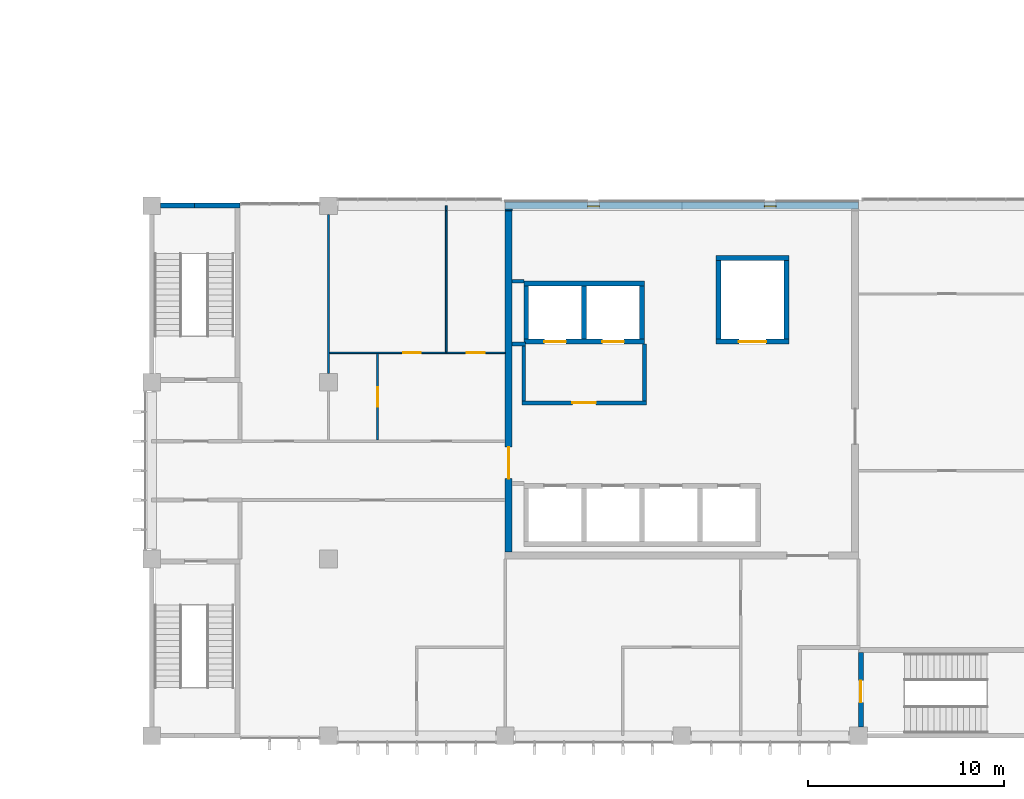
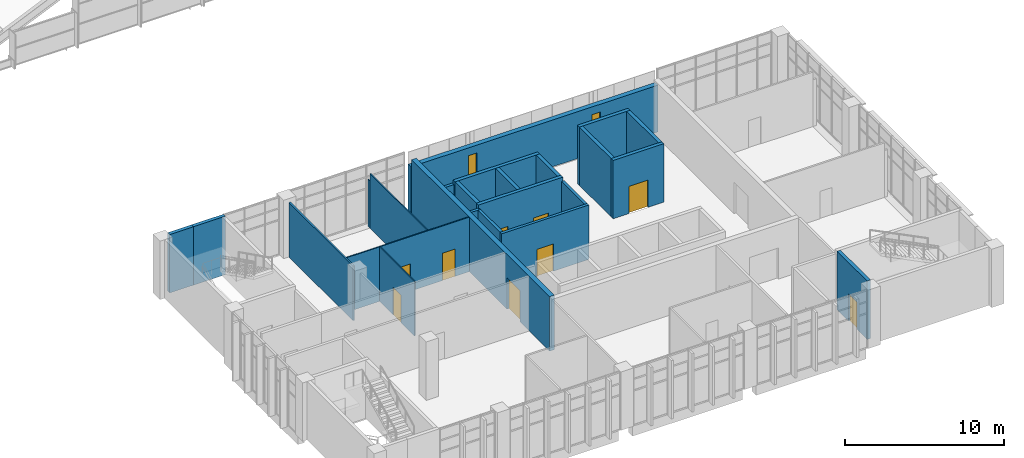
# One storey, part 77 of 106: 25 walls, 9 doors, 2 windows, 11 openings.
"""IFC4 building model written with IfcOpenShell, lengths in metres."""

from ifc_helpers import new_model, si_unit, direction, frame, frame_2d, origin, place, context, subcontext, project, spatial, rectangle, extrude, material, layer, layer_set, type_object, element, fill, save


model = new_model("IFC4")

# Units and contexts
model_context = context("Model", 3, precision=1e-05, world=origin(), true_north=direction((0.0, 1.0)))
body_context = subcontext(model_context, "Body", "Model", "MODEL_VIEW")
ifc_project = project(units=[si_unit("LENGTHUNIT", "METRE"), si_unit("AREAUNIT", "SQUARE_METRE"), si_unit("VOLUMEUNIT", "CUBIC_METRE"), si_unit("PLANEANGLEUNIT", "RADIAN"), si_unit("MASSUNIT", "GRAM", prefix="KILO")], contexts=[model_context])

# Site, building, storey
site_placement = place(None, origin())
site = spatial("IfcSite", under=ifc_project, at=site_placement, CompositionType="ELEMENT")
building_placement = place(site_placement, origin())
building = spatial("IfcBuilding", under=site, at=building_placement, Name="Guidao Yard Department Store", CompositionType="ELEMENT")
storey_placement = place(building_placement, frame((0.0, 0.0, 10.5)))
storey = spatial("IfcBuildingStorey", under=building, at=storey_placement, Name="L02", CompositionType="ELEMENT", Elevation=10.5)

# Wall, openings, windows
ifc_material_1 = material(Name="Concrete C40", Category="concrete")
ifc_layer_1 = layer(ifc_material_1, 0.35009765625)
ifc_layer_set_1 = layer_set([ifc_layer_1], Name="Office core face wall 350 C40")
wall_type_1 = type_object("IfcWallType", Name="Office core face wall 350 C40", PredefinedType="SOLIDWALL", material=ifc_layer_set_1)
wall_1_placement = place(storey_placement, frame((144.0, 27.0, 0.0), z_axis=(0.0, 0.0, 1.0), x_axis=(1.0, 0.0, 0.0)))
wall_1 = element("IfcWall", 1, at=wall_1_placement, inside=storey, type_object=wall_type_1, Name="Office north face wall", PredefinedType="SOLIDWALL", context=body_context, shape_type="SweptSolid", body=[
    extrude(rectangle(XDim=18.0, YDim=0.35009765625, at=frame_2d((9.0, 0.0))), origin(), (0.0, 0.0, 1.0), 3.60009765625),
])
opening_1_placement = place(wall_1_placement, frame((4.199951171875, 0.0, 0.60009765625)))
opening_1 = element("IfcOpeningElement", 2, at=opening_1_placement, cuts=wall_1, Name="Opening WN-L02-E25", PredefinedType="OPENING", context=body_context, shape_type="SweptSolid", body=[
    extrude(rectangle(XDim=0.60009765625, YDim=2.39990234375, at=frame_2d((0.300048828125, 1.199951171875))), frame((0.0, 0.18505859375, 0.0), z_axis=(0.0, -1.0, 0.0), x_axis=(1.0, 0.0, 0.0)), (0.0, 0.0, 1.0), 0.3701171875),
])
opening_2_placement = place(wall_1_placement, frame((13.199951171875, 0.0, 0.60009765625)))
opening_2 = element("IfcOpeningElement", 3, at=opening_2_placement, cuts=wall_1, Name="Opening WN-L02-E26", PredefinedType="OPENING", context=body_context, shape_type="SweptSolid", body=[
    extrude(rectangle(XDim=0.60009765625, YDim=2.39990234375, at=frame_2d((0.300048828125, 1.199951171875))), frame((0.0, 0.18505859375, 0.0), z_axis=(0.0, -1.0, 0.0), x_axis=(1.0, 0.0, 0.0)), (0.0, 0.0, 1.0), 0.3701171875),
])
ifc_material_2 = material(Name="Laminated glass in aluminium frame", Category="aluminium")
window_type = type_object("IfcWindowType", Name="Lobby window LW1 600 x 2400 fixed", PartitioningType="SINGLE_PANEL", PredefinedType="WINDOW", material=ifc_material_2)
window_1_placement = place(opening_1_placement, origin())
window_1 = element("IfcWindow", 4, at=window_1_placement, inside=storey, type_object=window_type, Name="Lift lobby window", OverallHeight=2.39990234375, OverallWidth=0.60009765625, PartitioningType="SINGLE_PANEL", PredefinedType="WINDOW", context=body_context, shape_type="SweptSolid", body=[
    extrude(rectangle(XDim=0.60009765625, YDim=2.39990234375, at=frame_2d((0.300048828125, 1.199951171875))), frame((0.0, -0.0048828125, 0.0), z_axis=(0.0, -1.0, 0.0), x_axis=(1.0, 0.0, 0.0)), (0.0, 0.0, 1.0), 0.06005859375),
])
fill(opening_1, window_1)
window_2_placement = place(opening_2_placement, origin())
window_2 = element("IfcWindow", 5, at=window_2_placement, inside=storey, type_object=window_type, Name="Lift lobby window", OverallHeight=2.39990234375, OverallWidth=0.60009765625, PartitioningType="SINGLE_PANEL", PredefinedType="WINDOW", context=body_context, shape_type="SweptSolid", body=[
    extrude(rectangle(XDim=0.60009765625, YDim=2.39990234375, at=frame_2d((0.300048828125, 1.199951171875))), frame((0.0, -0.0048828125, 0.0), z_axis=(0.0, -1.0, 0.0), x_axis=(1.0, 0.0, 0.0)), (0.0, 0.0, 1.0), 0.06005859375),
])
fill(opening_2, window_2)

# Wall
ifc_material_3 = material(Name="Gypsum Board")
ifc_layer_2 = layer(ifc_material_3, 0.1201171875)
ifc_layer_set_2 = layer_set([ifc_layer_2], Name="Partition 120 Gypsum Board EI 45")
wall_type_2 = type_object("IfcWallType", Name="Partition 120 Gypsum Board EI 45", PredefinedType="PARTITIONING", material=ifc_layer_set_2)
wall_2_placement = place(storey_placement, frame((135.0, 18.449951171875, 0.0), z_axis=(0.0, 0.0, 1.0), x_axis=(0.0, 1.0, 0.0)))
element("IfcWall", 6, at=wall_2_placement, inside=storey, type_object=wall_type_2, Name="pt.wall.L02.0019", PredefinedType="PARTITIONING", context=body_context, shape_type="SweptSolid", body=[
    extrude(rectangle(XDim=8.10009765625, YDim=0.1201171875, at=frame_2d((4.050048828125, 0.0))), origin(), (0.0, 0.0, 1.0), 4.199951171875),
])

# Wall, openings, doors
ifc_material_4 = material(Name="Gypsum Board")
ifc_layer_3 = layer(ifc_material_4, 0.080078125)
ifc_layer_set_3 = layer_set([ifc_layer_3], Name="Sanitary Partition 80 Gypsum Board EI 45")
wall_type_3 = type_object("IfcWallType", Name="Sanitary Partition 80 Gypsum Board EI 45", PredefinedType="PARTITIONING", material=ifc_layer_set_3)
wall_3_placement = place(storey_placement, frame((135.06005859375, 19.5, 0.0), z_axis=(0.0, 0.0, 1.0), x_axis=(1.0, 0.0, 0.0)))
wall_3 = element("IfcWall", 7, at=wall_3_placement, inside=storey, type_object=wall_type_3, Name="pt.wall.L02.0012", PredefinedType="PARTITIONING", context=body_context, shape_type="SweptSolid", body=[
    extrude(rectangle(XDim=8.93994140625, YDim=0.080078125, at=frame_2d((4.469970703125, 0.0))), origin(), (0.0, 0.0, 1.0), 4.199951171875),
])
opening_3_placement = place(wall_3_placement, frame((3.739990234375, 0.0, 0.0)))
opening_3 = element("IfcOpeningElement", 8, at=opening_3_placement, cuts=wall_3, Name="Opening L02-409", PredefinedType="OPENING", context=body_context, shape_type="SweptSolid", body=[
    extrude(rectangle(XDim=0.89990234375, YDim=2.10009765625, at=frame_2d((0.449951171875, 1.050048828125))), frame((0.0, 0.050048828125, 0.0), z_axis=(0.0, -1.0, 0.0), x_axis=(1.0, 0.0, 0.0)), (0.0, 0.0, 1.0), 0.10009765625),
])
opening_4_placement = place(wall_3_placement, frame((6.989990234375, 0.0, 0.0)))
opening_4 = element("IfcOpeningElement", 9, at=opening_4_placement, cuts=wall_3, Name="Opening L02-410", PredefinedType="OPENING", context=body_context, shape_type="SweptSolid", body=[
    extrude(rectangle(XDim=0.89990234375, YDim=2.10009765625, at=frame_2d((0.449951171875, 1.050048828125))), frame((0.0, 0.050048828125, 0.0), z_axis=(0.0, -1.0, 0.0), x_axis=(1.0, 0.0, 0.0)), (0.0, 0.0, 1.0), 0.10009765625),
])
ifc_material_5 = material(Name="Timber door leaf with Steel Q235 frame", Category="steel")
door_type_1 = type_object("IfcDoorType", Name="Door 900 x 2100 NOT RATED Single Leaf", OperationType="SINGLE_SWING_LEFT", PredefinedType="DOOR", material=ifc_material_5)
door_1_placement = place(opening_3_placement, origin())
door_1 = element("IfcDoor", 10, at=door_1_placement, inside=storey, type_object=door_type_1, Name="Door L02-409", OperationType="SINGLE_SWING_LEFT", OverallHeight=2.10009765625, OverallWidth=0.89990234375, PredefinedType="DOOR", context=body_context, shape_type="SweptSolid", body=[
    extrude(rectangle(XDim=0.89990234375, YDim=2.10009765625, at=frame_2d((0.449951171875, 1.050048828125))), frame((0.0, 0.02490234375, 0.0), z_axis=(0.0, -1.0, 0.0), x_axis=(1.0, 0.0, 0.0)), (0.0, 0.0, 1.0), 0.050048828125),
])
fill(opening_3, door_1)
door_2_placement = place(opening_4_placement, origin())
door_2 = element("IfcDoor", 11, at=door_2_placement, inside=storey, type_object=door_type_1, Name="Door L02-410", OperationType="SINGLE_SWING_RIGHT", OverallHeight=2.10009765625, OverallWidth=0.89990234375, PredefinedType="DOOR", context=body_context, shape_type="SweptSolid", body=[
    extrude(rectangle(XDim=0.89990234375, YDim=2.10009765625, at=frame_2d((0.449951171875, 1.050048828125))), frame((0.0, 0.02490234375, 0.0), z_axis=(0.0, -1.0, 0.0), x_axis=(1.0, 0.0, 0.0)), (0.0, 0.0, 1.0), 0.050048828125),
])
fill(opening_4, door_2)

# Wall, opening, door
wall_4_placement = place(storey_placement, frame((137.5, 15.074951171875, 0.0), z_axis=(0.0, 0.0, 1.0), x_axis=(0.0, 1.0, 0.0)))
wall_4 = element("IfcWall", 12, at=wall_4_placement, inside=storey, type_object=wall_type_3, Name="pt.wall.L02.0020", PredefinedType="PARTITIONING", context=body_context, shape_type="SweptSolid", body=[
    extrude(rectangle(XDim=4.385009765625, YDim=0.080078125, at=frame_2d((2.1923828125, 0.0))), origin(), (0.0, 0.0, 1.0), 4.199951171875),
])
opening_5_placement = place(wall_4_placement, frame((1.675048828125, 0.0, 0.0)))
opening_5 = element("IfcOpeningElement", 13, at=opening_5_placement, cuts=wall_4, Name="Opening L02-408", PredefinedType="OPENING", context=body_context, shape_type="SweptSolid", body=[
    extrude(rectangle(XDim=1.0, YDim=2.10009765625, at=frame_2d((0.5, 1.050048828125))), frame((0.0, 0.050048828125, 0.0), z_axis=(0.0, -1.0, 0.0), x_axis=(1.0, 0.0, 0.0)), (0.0, 0.0, 1.0), 0.10009765625),
])
ifc_material_6 = material(Name="Timber door leaf with Steel Q235 frame", Category="steel")
door_type_2 = type_object("IfcDoorType", Name="Door 1000 x 2100 NOT RATED Single Leaf", OperationType="SINGLE_SWING_LEFT", PredefinedType="DOOR", material=ifc_material_6)
door_3_placement = place(opening_5_placement, origin())
door_3 = element("IfcDoor", 14, at=door_3_placement, inside=storey, type_object=door_type_2, Name="Door L02-408", OperationType="SINGLE_SWING_RIGHT", OverallHeight=2.10009765625, OverallWidth=1.0, PredefinedType="DOOR", context=body_context, shape_type="SweptSolid", body=[
    extrude(rectangle(XDim=1.0, YDim=2.10009765625, at=frame_2d((0.5, 1.050048828125))), frame((0.0, 0.02490234375, 0.0), z_axis=(0.0, -1.0, 0.0), x_axis=(1.0, 0.0, 0.0)), (0.0, 0.0, 1.0), 0.050048828125),
])
fill(opening_5, door_3)

# Walls
wall_5_placement = place(storey_placement, frame((141.0, 19.5400390625, 0.0), z_axis=(0.0, 0.0, 1.0), x_axis=(0.0, 1.0, 0.0)))
element("IfcWall", 15, at=wall_5_placement, inside=storey, type_object=wall_type_3, Name="pt.wall.L02.0022", PredefinedType="PARTITIONING", context=body_context, shape_type="SweptSolid", body=[
    extrude(rectangle(XDim=7.2099609375, YDim=0.080078125, at=frame_2d((3.60498046875, 0.0))), origin(), (0.0, 0.0, 1.0), 4.199951171875),
])
wall_6_placement = place(storey_placement, frame((141.0, 26.75, 0.0), z_axis=(0.0, 0.0, 1.0), x_axis=(0.0, 1.0, 0.0)))
element("IfcWall", 16, at=wall_6_placement, inside=storey, type_object=wall_type_3, Name="pt.wall.L02.0022a", PredefinedType="PARTITIONING", context=body_context, shape_type="SweptSolid", body=[
    extrude(rectangle(XDim=0.25, YDim=0.080078125, at=frame_2d((0.125, 0.0))), origin(), (0.0, 0.0, 1.0), 3.60009765625),
])

# Wall, opening, door
ifc_material_7 = material(Name="Autoclaved aerated concrete block A3.5 B06", Category="concrete")
ifc_layer_4 = layer(ifc_material_7, 0.199951171875)
ifc_layer_set_4 = layer_set([ifc_layer_4], Name="Shaft Wall 200 Autoclaved Block EI 120")
wall_type_4 = type_object("IfcWallType", Name="Shaft Wall 200 Autoclaved Block EI 120", PredefinedType="PARTITIONING", material=ifc_layer_set_4)
wall_7_placement = place(storey_placement, frame((144.85009765625, 16.949951171875, 0.0), z_axis=(0.0, 0.0, 1.0), x_axis=(1.0, 0.0, 0.0)))
wall_7 = element("IfcWall", 17, at=wall_7_placement, inside=storey, type_object=wall_type_4, Name="pt.wall.L02.0011", PredefinedType="PARTITIONING", context=body_context, shape_type="SweptSolid", body=[
    extrude(rectangle(XDim=6.349853515625, YDim=0.199951171875, at=frame_2d((3.1748046875, 0.0))), origin(), (0.0, 0.0, 1.0), 4.199951171875),
])
opening_6_placement = place(wall_7_placement, frame((2.574951171875, 0.0, 0.0)))
opening_6 = element("IfcOpeningElement", 18, at=opening_6_placement, cuts=wall_7, Name="Opening L02-400", PredefinedType="OPENING", context=body_context, shape_type="SweptSolid", body=[
    extrude(rectangle(XDim=1.199951171875, YDim=2.10009765625, at=frame_2d((0.60009765625, 1.050048828125))), frame((0.0, 0.10986328125, 0.0), z_axis=(0.0, -1.0, 0.0), x_axis=(1.0, 0.0, 0.0)), (0.0, 0.0, 1.0), 0.219970703125),
])
ifc_material_8 = material(Name="Timber door leaf with Steel Q235 frame", Category="steel")
door_type_3 = type_object("IfcDoorType", Name="Door 1200 x 2100 FD60 Single Leaf", OperationType="SINGLE_SWING_LEFT", PredefinedType="DOOR", material=ifc_material_8)
door_4_placement = place(opening_6_placement, origin())
door_4 = element("IfcDoor", 19, at=door_4_placement, inside=storey, type_object=door_type_3, Name="Door L02-400", OperationType="SINGLE_SWING_RIGHT", OverallHeight=2.10009765625, OverallWidth=1.199951171875, PredefinedType="DOOR", context=body_context, shape_type="SweptSolid", body=[
    extrude(rectangle(XDim=1.199951171875, YDim=2.10009765625, at=frame_2d((0.60009765625, 1.050048828125))), frame((0.0, 0.02490234375, 0.0), z_axis=(0.0, -1.0, 0.0), x_axis=(1.0, 0.0, 0.0)), (0.0, 0.0, 1.0), 0.050048828125),
])
fill(opening_6, door_4)

# Walls
wall_8_placement = place(storey_placement, frame((144.35009765625, 19.949951171875, 0.0), z_axis=(0.0, 0.0, 1.0), x_axis=(1.0, 0.0, 0.0)))
element("IfcWall", 20, at=wall_8_placement, inside=storey, type_object=wall_type_4, Name="pt.wall.L02.0013", PredefinedType="PARTITIONING", context=body_context, shape_type="SweptSolid", body=[
    extrude(rectangle(XDim=0.699951171875, YDim=0.199951171875, at=frame_2d((0.35009765625, 0.0))), origin(), (0.0, 0.0, 1.0), 4.199951171875),
])
wall_9_placement = place(storey_placement, frame((144.35009765625, 23.14990234375, 0.0), z_axis=(0.0, 0.0, 1.0), x_axis=(1.0, 0.0, 0.0)))
element("IfcWall", 21, at=wall_9_placement, inside=storey, type_object=wall_type_4, Name="pt.wall.L02.0015", PredefinedType="PARTITIONING", context=body_context, shape_type="SweptSolid", body=[
    extrude(rectangle(XDim=0.599853515625, YDim=0.199951171875, at=frame_2d((0.2998046875, 0.0))), origin(), (0.0, 0.0, 1.0), 4.199951171875),
])
wall_10_placement = place(storey_placement, frame((144.949951171875, 17.050048828125, 0.0), z_axis=(0.0, 0.0, 1.0), x_axis=(0.0, 1.0, 0.0)))
element("IfcWall", 22, at=wall_10_placement, inside=storey, type_object=wall_type_4, Name="pt.wall.L02.0025", PredefinedType="PARTITIONING", context=body_context, shape_type="SweptSolid", body=[
    extrude(rectangle(XDim=2.800048828125, YDim=0.199951171875, at=frame_2d((1.39990234375, 0.0))), origin(), (0.0, 0.0, 1.0), 4.199951171875),
])
wall_11_placement = place(storey_placement, frame((151.10009765625, 17.050048828125, 0.0), z_axis=(0.0, 0.0, 1.0), x_axis=(0.0, 1.0, 0.0)))
element("IfcWall", 23, at=wall_11_placement, inside=storey, type_object=wall_type_4, Name="pt.wall.L02.0027", PredefinedType="PARTITIONING", context=body_context, shape_type="SweptSolid", body=[
    extrude(rectangle(XDim=2.89990234375, YDim=0.199951171875, at=frame_2d((1.449951171875, 0.0))), origin(), (0.0, 0.0, 1.0), 4.199951171875),
])

# Wall, opening, door
ifc_material_9 = material(Name="Concrete C50", Category="concrete")
ifc_layer_5 = layer(ifc_material_9, 0.35009765625)
ifc_layer_set_5 = layer_set([ifc_layer_5], Name="Shear Wall 350 Concrete C50")
wall_type_5 = type_object("IfcWallType", Name="Shear Wall 350 Concrete C50", PredefinedType="SHEAR", material=ifc_layer_set_5)
wall_12_placement = place(storey_placement, frame((144.175048828125, 9.35009765625, 0.0), z_axis=(0.0, 0.0, 1.0), x_axis=(0.0, 1.0, 0.0)))
wall_12 = element("IfcWall", 24, at=wall_12_placement, inside=storey, type_object=wall_type_5, Name="pt.wall.L02.0024", PredefinedType="SHEAR", context=body_context, shape_type="SweptSolid", body=[
    extrude(rectangle(XDim=17.39990234375, YDim=0.35009765625, at=frame_2d((8.699951171875, 0.0))), origin(), (0.0, 0.0, 1.0), 4.199951171875),
])
opening_7_placement = place(wall_12_placement, frame((3.75, 0.0, 0.0)))
opening_7 = element("IfcOpeningElement", 25, at=opening_7_placement, cuts=wall_12, Name="Opening L02-404", PredefinedType="OPENING", context=body_context, shape_type="SweptSolid", body=[
    extrude(rectangle(XDim=1.60009765625, YDim=2.39990234375, at=frame_2d((0.800048828125, 1.199951171875))), frame((0.0, 0.18505859375, 0.0), z_axis=(0.0, -1.0, 0.0), x_axis=(1.0, 0.0, 0.0)), (0.0, 0.0, 1.0), 0.3701171875),
])
ifc_material_10 = material(Name="Timber door leaf with Steel Q235 frame", Category="steel")
door_type_4 = type_object("IfcDoorType", Name="Door 1600 x 2400 FD60 Double Leaf", OperationType="DOUBLE_DOOR_SINGLE_SWING", PredefinedType="DOOR", material=ifc_material_10)
door_5_placement = place(opening_7_placement, origin())
door_5 = element("IfcDoor", 26, at=door_5_placement, inside=storey, type_object=door_type_4, Name="Door L02-404", OperationType="DOUBLE_DOOR_SINGLE_SWING", OverallHeight=2.39990234375, OverallWidth=1.60009765625, PredefinedType="DOOR", context=body_context, shape_type="SweptSolid", body=[
    extrude(rectangle(XDim=1.60009765625, YDim=2.39990234375, at=frame_2d((0.800048828125, 1.199951171875))), frame((0.0, 0.02490234375, 0.0), z_axis=(0.0, -1.0, 0.0), x_axis=(1.0, 0.0, 0.0)), (0.0, 0.0, 1.0), 0.050048828125),
])
fill(opening_7, door_5)

# Wall
wall_13_placement = place(storey_placement, frame((144.175048828125, 26.75, 0.0), z_axis=(0.0, 0.0, 1.0), x_axis=(0.0, 1.0, 0.0)))
element("IfcWall", 27, at=wall_13_placement, inside=storey, type_object=wall_type_5, Name="pt.wall.L02.0024a", PredefinedType="SHEAR", context=body_context, shape_type="SweptSolid", body=[
    extrude(rectangle(XDim=0.074951171875, YDim=0.35009765625, at=frame_2d((0.03759765625, 0.0))), origin(), (0.0, 0.0, 1.0), 3.60009765625),
])

# Wall, opening, door
ifc_material_11 = material(Name="Concrete C40", Category="concrete")
ifc_layer_6 = layer(ifc_material_11, 0.25)
ifc_layer_set_6 = layer_set([ifc_layer_6], Name="Wall RC 250 C40 stair and shaft")
wall_type_6 = type_object("IfcWallType", Name="Wall RC 250 C40 stair and shaft", PredefinedType="SHEAR", material=ifc_layer_set_6)
wall_14_placement = place(storey_placement, frame((162.125, 0.449951171875, 0.0), z_axis=(0.0, 0.0, 1.0), x_axis=(0.0, 1.0, 0.0)))
wall_14 = element("IfcWall", 28, at=wall_14_placement, inside=storey, type_object=wall_type_6, Name="Stair wall SO2", PredefinedType="SHEAR", context=body_context, shape_type="SweptSolid", body=[
    extrude(rectangle(XDim=3.800048828125, YDim=0.25, at=frame_2d((1.89990234375, 0.0))), origin(), (0.0, 0.0, 1.0), 4.5),
])
opening_8_placement = place(wall_14_placement, frame((2.35009765625, 0.0, 0.0), z_axis=(0.0, 0.0, 1.0), x_axis=(-1.0, 0.0, 0.0)))
opening_8 = element("IfcOpeningElement", 29, at=opening_8_placement, cuts=wall_14, Name="Opening L02-814", PredefinedType="OPENING", context=body_context, shape_type="SweptSolid", body=[
    extrude(rectangle(XDim=1.10009765625, YDim=2.10009765625, at=frame_2d((0.550048828125, 1.050048828125))), frame((0.0, 0.135009765625, 0.0), z_axis=(0.0, -1.0, 0.0), x_axis=(1.0, 0.0, 0.0)), (0.0, 0.0, 1.0), 0.27001953125),
])
ifc_material_12 = material(Name="Steel Q235", Category="steel")
door_type_5 = type_object("IfcDoorType", Name="Door fire-resisting 1100 x 2100 FD60", OperationType="SINGLE_SWING_LEFT", PredefinedType="DOOR", material=ifc_material_12)
door_6_placement = place(opening_8_placement, origin())
door_6 = element("IfcDoor", 30, at=door_6_placement, inside=storey, type_object=door_type_5, Name="Stair O2 door L02", OperationType="SINGLE_SWING_RIGHT", OverallHeight=2.10009765625, OverallWidth=1.10009765625, PredefinedType="DOOR", context=body_context, shape_type="SweptSolid", body=[
    extrude(rectangle(XDim=1.10009765625, YDim=2.10009765625, at=frame_2d((0.550048828125, 1.050048828125))), frame((0.0, 0.02490234375, 0.0), z_axis=(0.0, -1.0, 0.0), x_axis=(1.0, 0.0, 0.0)), (0.0, 0.0, 1.0), 0.050048828125),
])
fill(opening_8, door_6)

# Walls
wall_15_placement = place(storey_placement, frame((126.449951171875, 27.0, 0.0), z_axis=(0.0, 0.0, 1.0), x_axis=(1.0, 0.0, 0.0)))
element("IfcWall", 31, at=wall_15_placement, inside=storey, type_object=wall_type_6, Name="Stair wall SO3", PredefinedType="SHEAR", context=body_context, shape_type="SweptSolid", body=[
    extrude(rectangle(XDim=1.738037109375, YDim=0.25, at=frame_2d((0.869140625, 0.0))), origin(), (0.0, 0.0, 1.0), 4.5),
])
wall_16_placement = place(storey_placement, frame((128.18798828125, 27.0, 0.0), z_axis=(0.0, 0.0, 1.0), x_axis=(1.0, 0.0, 0.0)))
element("IfcWall", 32, at=wall_16_placement, inside=storey, type_object=wall_type_6, Name="Stair wall SO3", PredefinedType="SHEAR", context=body_context, shape_type="SweptSolid", body=[
    extrude(rectangle(XDim=2.31201171875, YDim=0.25, at=frame_2d((1.156005859375, 0.0))), origin(), (0.0, 0.0, 1.0), 4.5),
])

# Wall, openings, doors
wall_17_placement = place(storey_placement, frame((144.949951171875, 20.074951171875, 0.0), z_axis=(0.0, 0.0, 1.0), x_axis=(1.0, 0.0, 0.0)))
wall_17 = element("IfcWall", 33, at=wall_17_placement, inside=storey, type_object=wall_type_6, Name="Lift shaft wall OF1 to OF2", PredefinedType="SHEAR", context=body_context, shape_type="SweptSolid", body=[
    extrude(rectangle(XDim=6.150146484375, YDim=0.25, at=frame_2d((3.0751953125, 0.0))), origin(), (0.0, 0.0, 1.0), 4.5),
])
opening_9_placement = place(wall_17_placement, frame((1.050048828125, 0.0, 0.0)))
opening_9 = element("IfcOpeningElement", 34, at=opening_9_placement, cuts=wall_17, Name="Opening LD-OF1-L02", PredefinedType="OPENING", context=body_context, shape_type="SweptSolid", body=[
    extrude(rectangle(XDim=1.10009765625, YDim=2.10009765625, at=frame_2d((0.550048828125, 1.050048828125))), frame((0.0, 0.135009765625, 0.0), z_axis=(0.0, -1.0, 0.0), x_axis=(1.0, 0.0, 0.0)), (0.0, 0.0, 1.0), 0.27001953125),
])
opening_10_placement = place(wall_17_placement, frame((4.0, 0.0, 0.0)))
opening_10 = element("IfcOpeningElement", 35, at=opening_10_placement, cuts=wall_17, Name="Opening LD-OF2-L02", PredefinedType="OPENING", context=body_context, shape_type="SweptSolid", body=[
    extrude(rectangle(XDim=1.10009765625, YDim=2.10009765625, at=frame_2d((0.550048828125, 1.050048828125))), frame((0.0, 0.135009765625, 0.0), z_axis=(0.0, -1.0, 0.0), x_axis=(1.0, 0.0, 0.0)), (0.0, 0.0, 1.0), 0.27001953125),
])
ifc_material_13 = material(Name="Stainless steel 06Cr19Ni10", Category="steel")
door_type_6 = type_object("IfcDoorType", Name="Lift landing door fire-resisting sliding 1100 x 2100", OperationType="DOUBLE_DOOR_SLIDING", PredefinedType="DOOR", material=ifc_material_13)
door_7_placement = place(opening_9_placement, origin())
door_7 = element("IfcDoor", 36, at=door_7_placement, inside=storey, type_object=door_type_6, Name="Lift landing door OF1 L02", OperationType="DOUBLE_DOOR_SLIDING", OverallHeight=2.10009765625, OverallWidth=1.10009765625, PredefinedType="DOOR", context=body_context, shape_type="SweptSolid", body=[
    extrude(rectangle(XDim=1.10009765625, YDim=2.10009765625, at=frame_2d((0.550048828125, 1.050048828125))), frame((0.0, 0.02490234375, 0.0), z_axis=(0.0, -1.0, 0.0), x_axis=(1.0, 0.0, 0.0)), (0.0, 0.0, 1.0), 0.050048828125),
])
fill(opening_9, door_7)
door_8_placement = place(opening_10_placement, origin())
door_8 = element("IfcDoor", 37, at=door_8_placement, inside=storey, type_object=door_type_6, Name="Lift landing door OF2 L02", OperationType="DOUBLE_DOOR_SLIDING", OverallHeight=2.10009765625, OverallWidth=1.10009765625, PredefinedType="DOOR", context=body_context, shape_type="SweptSolid", body=[
    extrude(rectangle(XDim=1.10009765625, YDim=2.10009765625, at=frame_2d((0.550048828125, 1.050048828125))), frame((0.0, 0.02490234375, 0.0), z_axis=(0.0, -1.0, 0.0), x_axis=(1.0, 0.0, 0.0)), (0.0, 0.0, 1.0), 0.050048828125),
])
fill(opening_10, door_8)

# Walls
wall_18_placement = place(storey_placement, frame((144.949951171875, 23.02490234375, 0.0), z_axis=(0.0, 0.0, 1.0), x_axis=(1.0, 0.0, 0.0)))
element("IfcWall", 38, at=wall_18_placement, inside=storey, type_object=wall_type_6, Name="Lift shaft wall OF1 to OF2", PredefinedType="SHEAR", context=body_context, shape_type="SweptSolid", body=[
    extrude(rectangle(XDim=6.150146484375, YDim=0.25, at=frame_2d((3.0751953125, 0.0))), origin(), (0.0, 0.0, 1.0), 4.5),
])
for number, where, z_axis, x_axis, name in (
    (39, (145.074951171875, 20.199951171875, 0.0), (0.0, 0.0, 1.0), (0.0, 1.0, 0.0), "Lift shaft wall OF1 to OF2"),
    (40, (148.02490234375, 20.199951171875, 0.0), (0.0, 0.0, 1.0), (0.0, 1.0, 0.0), "Lift shaft wall OF1 to OF2"),
    (41, (150.97509765625, 20.199951171875, 0.0), (0.0, 0.0, 1.0), (0.0, 1.0, 0.0), "Lift shaft wall OF1 to OF2"),
):
    element("IfcWall", number, at=place(storey_placement, frame(where, z_axis=z_axis, x_axis=x_axis)), inside=storey, type_object=wall_type_6, Name=name, PredefinedType="SHEAR", context=body_context, shape_type="SweptSolid", body=[
        extrude(rectangle(XDim=2.699951171875, YDim=0.25, at=frame_2d((1.35009765625, 0.0))), origin(), (0.0, 0.0, 1.0), 4.5),
    ])

# Wall, opening, door
wall_19_placement = place(storey_placement, frame((154.75, 20.074951171875, 0.0), z_axis=(0.0, 0.0, 1.0), x_axis=(1.0, 0.0, 0.0)))
wall_19 = element("IfcWall", 42, at=wall_19_placement, inside=storey, type_object=wall_type_6, Name="Lift shaft wall OS1", PredefinedType="SHEAR", context=body_context, shape_type="SweptSolid", body=[
    extrude(rectangle(XDim=3.699951171875, YDim=0.25, at=frame_2d((1.85009765625, 0.0))), origin(), (0.0, 0.0, 1.0), 4.5),
])
opening_11_placement = place(wall_19_placement, frame((1.14990234375, 0.0, 0.0)))
opening_11 = element("IfcOpeningElement", 43, at=opening_11_placement, cuts=wall_19, Name="Opening LD-OS1-L02", PredefinedType="OPENING", context=body_context, shape_type="SweptSolid", body=[
    extrude(rectangle(XDim=1.39990234375, YDim=2.10009765625, at=frame_2d((0.699951171875, 1.050048828125))), frame((0.0, 0.135009765625, 0.0), z_axis=(0.0, -1.0, 0.0), x_axis=(1.0, 0.0, 0.0)), (0.0, 0.0, 1.0), 0.27001953125),
])
ifc_material_14 = material(Name="Stainless steel 06Cr19Ni10", Category="steel")
door_type_7 = type_object("IfcDoorType", Name="Lift landing door fire-resisting sliding 1400 x 2100", OperationType="DOUBLE_DOOR_SLIDING", PredefinedType="DOOR", material=ifc_material_14)
door_9_placement = place(opening_11_placement, origin())
door_9 = element("IfcDoor", 44, at=door_9_placement, inside=storey, type_object=door_type_7, Name="Lift landing door OS1 L02", OperationType="DOUBLE_DOOR_SLIDING", OverallHeight=2.10009765625, OverallWidth=1.39990234375, PredefinedType="DOOR", context=body_context, shape_type="SweptSolid", body=[
    extrude(rectangle(XDim=1.39990234375, YDim=2.10009765625, at=frame_2d((0.699951171875, 1.050048828125))), frame((0.0, 0.02490234375, 0.0), z_axis=(0.0, -1.0, 0.0), x_axis=(1.0, 0.0, 0.0)), (0.0, 0.0, 1.0), 0.050048828125),
])
fill(opening_11, door_9)

# Walls
wall_20_placement = place(storey_placement, frame((154.75, 24.324951171875, 0.0), z_axis=(0.0, 0.0, 1.0), x_axis=(1.0, 0.0, 0.0)))
element("IfcWall", 45, at=wall_20_placement, inside=storey, type_object=wall_type_6, Name="Lift shaft wall OS1", PredefinedType="SHEAR", context=body_context, shape_type="SweptSolid", body=[
    extrude(rectangle(XDim=3.699951171875, YDim=0.25, at=frame_2d((1.85009765625, 0.0))), origin(), (0.0, 0.0, 1.0), 4.5),
])
for number, where, z_axis, x_axis, name in (
    (46, (154.875, 20.199951171875, 0.0), (0.0, 0.0, 1.0), (0.0, 1.0, 0.0), "Lift shaft wall OS1"),
    (47, (158.324951171875, 20.199951171875, 0.0), (0.0, 0.0, 1.0), (0.0, 1.0, 0.0), "Lift shaft wall OS1"),
):
    element("IfcWall", number, at=place(storey_placement, frame(where, z_axis=z_axis, x_axis=x_axis)), inside=storey, type_object=wall_type_6, Name=name, PredefinedType="SHEAR", context=body_context, shape_type="SweptSolid", body=[
        extrude(rectangle(XDim=4.0, YDim=0.25, at=frame_2d((2.0, 0.0))), origin(), (0.0, 0.0, 1.0), 4.5),
    ])

save(model, "model.ifc")
